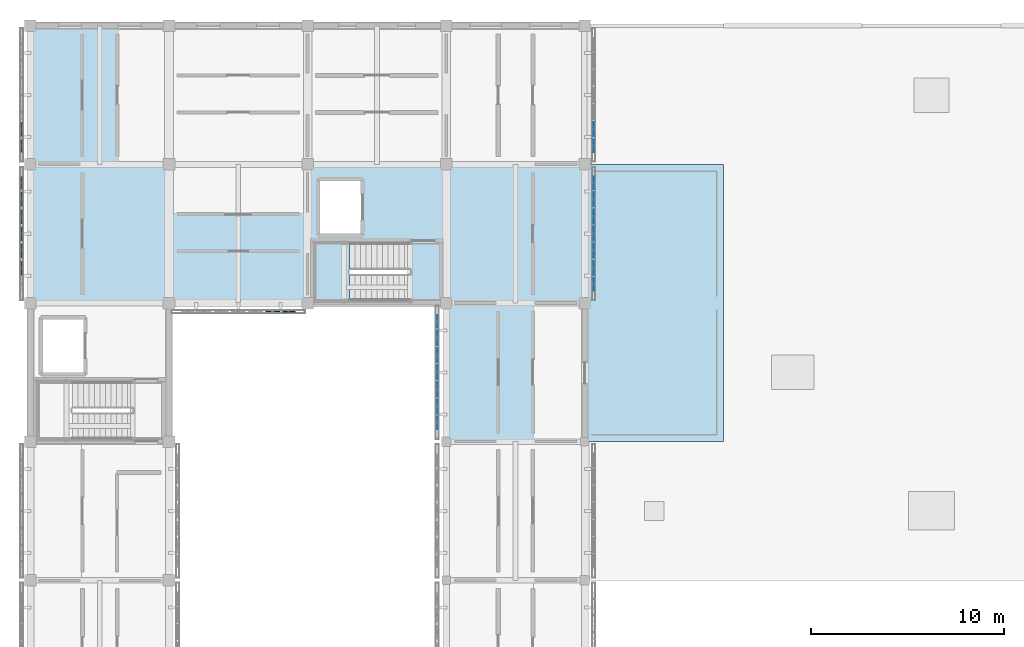
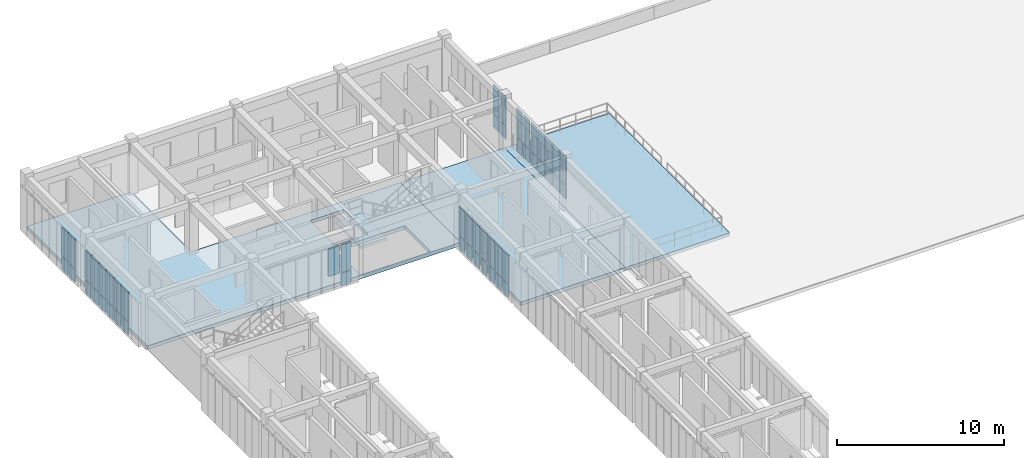
# One storey, part 42 of 67: 51 plates, 4 slabs, 7 elements without a shape of their own.
"""IFC4 building model written with IfcOpenShell, lengths in metres."""

from ifc_helpers import new_model, si_unit, direction, frame, origin, origin_2d, place, context, subcontext, project, spatial, polyline, rectangle, outline, extrude, material, layer, layer_set, type_object, element, aggregate, save


model = new_model("IFC4")

# Units and contexts
model_context = context("Model", 3, precision=1e-05, world=origin(), true_north=direction((0.0, 1.0)))
body_context = subcontext(model_context, "Body", "Model", "MODEL_VIEW")
ifc_project = project(units=[si_unit("LENGTHUNIT", "METRE"), si_unit("AREAUNIT", "SQUARE_METRE"), si_unit("VOLUMEUNIT", "CUBIC_METRE"), si_unit("PLANEANGLEUNIT", "RADIAN"), si_unit("MASSUNIT", "GRAM", prefix="KILO")], contexts=[model_context])

# Site, building, storey
site_placement = place(None, origin())
site = spatial("IfcSite", under=ifc_project, at=site_placement, CompositionType="ELEMENT")
building_placement = place(site_placement, origin())
building = spatial("IfcBuilding", under=site, at=building_placement, Name="Aldebral Square Health Centre", CompositionType="ELEMENT")
storey_placement = place(building_placement, frame((0.0, 0.0, 13.5)))
storey = spatial("IfcBuildingStorey", under=building, at=storey_placement, Name="L03", CompositionType="ELEMENT", Elevation=13.5)

# Curtain wall, plates
ifc_material_1 = material(Name="Aluminium and low-E solar glass", Category="aluminium")
curtain_wall_type = type_object("IfcCurtainWallType", Name="CW-FIN-SYS", PredefinedType="USERDEFINED", material=ifc_material_1)
curtain_wall_1_placement = place(storey_placement, origin())
curtain_wall_1 = element("IfcCurtainWall", 1, at=curtain_wall_1_placement, inside=storey, type_object=curtain_wall_type, Name="L03 V4 finned curtain wall L03-V4-03-13-W", ObjectType="SOLAR_CURTAIN_WALL", PredefinedType="USERDEFINED")
ifc_material_2 = material(Name="Solar-control low-E double glass", Category="glass")
ifc_layer_1 = layer(ifc_material_2, 0.030029296875, Name="Solar-control low-E double glass", Category="glass")
ifc_layer_set_1 = layer_set([ifc_layer_1], Name="Solar-control low-E double glass")
plate_type_1 = type_object("IfcPlateType", Name="CWP-GLZ-2", PredefinedType="CURTAIN_PANEL", material=ifc_layer_set_1)
plate_1_placement = place(storey_placement, frame((21.139892578125, 99.834228515625, 0.074951171875), z_axis=(0.0, 0.0, 1.0), x_axis=(0.0, -1.0, 0.0)))
plate_1 = element("IfcPlate", 2, at=plate_1_placement, type_object=plate_type_1, Name="CW1 panel 1.1", PredefinedType="CURTAIN_PANEL", context=body_context, shape_type="SweptSolid", body=[
    extrude(rectangle(XDim=0.6513671875, YDim=0.030029296875, at=origin_2d()), origin(), (0.0, 0.0, 1.0), 0.9375),
])
plate_2_placement = place(storey_placement, frame((21.139892578125, 99.834228515625, 1.08740234375), z_axis=(0.0, 0.0, 1.0), x_axis=(0.0, -1.0, 0.0)))
plate_2 = element("IfcPlate", 3, at=plate_2_placement, type_object=plate_type_1, Name="CW1 panel 1.2", PredefinedType="CURTAIN_PANEL", context=body_context, shape_type="SweptSolid", body=[
    extrude(rectangle(XDim=0.6513671875, YDim=0.030029296875, at=origin_2d()), origin(), (0.0, 0.0, 1.0), 2.077392578125),
])
plate_3_placement = place(storey_placement, frame((21.139892578125, 98.98291015625, 0.074951171875), z_axis=(0.0, 0.0, 1.0), x_axis=(0.0, -1.0, 0.0)))
plate_3 = element("IfcPlate", 4, at=plate_3_placement, type_object=plate_type_1, Name="CW1 panel 2.1", PredefinedType="CURTAIN_PANEL", context=body_context, shape_type="SweptSolid", body=[
    extrude(rectangle(XDim=0.7314453125, YDim=0.030029296875, at=origin_2d()), origin(), (0.0, 0.0, 1.0), 0.9375),
])
plate_4_placement = place(storey_placement, frame((21.139892578125, 98.98291015625, 1.08740234375), z_axis=(0.0, 0.0, 1.0), x_axis=(0.0, -1.0, 0.0)))
plate_4 = element("IfcPlate", 5, at=plate_4_placement, type_object=plate_type_1, Name="CW1 panel 2.2", PredefinedType="CURTAIN_PANEL", context=body_context, shape_type="SweptSolid", body=[
    extrude(rectangle(XDim=0.7314453125, YDim=0.030029296875, at=origin_2d()), origin(), (0.0, 0.0, 1.0), 2.077392578125),
])
plate_5_placement = place(storey_placement, frame((21.139892578125, 98.09130859375, 0.074951171875), z_axis=(0.0, 0.0, 1.0), x_axis=(0.0, -1.0, 0.0)))
plate_5 = element("IfcPlate", 6, at=plate_5_placement, type_object=plate_type_1, Name="CW1 panel 3.1", PredefinedType="CURTAIN_PANEL", context=body_context, shape_type="SweptSolid", body=[
    extrude(rectangle(XDim=0.7314453125, YDim=0.030029296875, at=origin_2d()), origin(), (0.0, 0.0, 1.0), 0.9375),
])
plate_6_placement = place(storey_placement, frame((21.139892578125, 98.09130859375, 1.08740234375), z_axis=(0.0, 0.0, 1.0), x_axis=(0.0, -1.0, 0.0)))
plate_6 = element("IfcPlate", 7, at=plate_6_placement, type_object=plate_type_1, Name="CW1 panel 3.2", PredefinedType="CURTAIN_PANEL", context=body_context, shape_type="SweptSolid", body=[
    extrude(rectangle(XDim=0.7314453125, YDim=0.030029296875, at=origin_2d()), origin(), (0.0, 0.0, 1.0), 2.077392578125),
])
plate_7_placement = place(storey_placement, frame((21.139892578125, 97.199951171875, 0.074951171875), z_axis=(0.0, 0.0, 1.0), x_axis=(0.0, -1.0, 0.0)))
plate_7 = element("IfcPlate", 8, at=plate_7_placement, type_object=plate_type_1, Name="CW1 panel 4.1", PredefinedType="CURTAIN_PANEL", context=body_context, shape_type="SweptSolid", body=[
    extrude(rectangle(XDim=0.7314453125, YDim=0.030029296875, at=origin_2d()), origin(), (0.0, 0.0, 1.0), 0.9375),
])
plate_8_placement = place(storey_placement, frame((21.139892578125, 97.199951171875, 1.08740234375), z_axis=(0.0, 0.0, 1.0), x_axis=(0.0, -1.0, 0.0)))
plate_8 = element("IfcPlate", 9, at=plate_8_placement, type_object=plate_type_1, Name="CW1 panel 4.2", PredefinedType="CURTAIN_PANEL", context=body_context, shape_type="SweptSolid", body=[
    extrude(rectangle(XDim=0.7314453125, YDim=0.030029296875, at=origin_2d()), origin(), (0.0, 0.0, 1.0), 2.077392578125),
])
plate_9_placement = place(storey_placement, frame((21.139892578125, 96.30859375, 0.074951171875), z_axis=(0.0, 0.0, 1.0), x_axis=(0.0, -1.0, 0.0)))
plate_9 = element("IfcPlate", 10, at=plate_9_placement, type_object=plate_type_1, Name="CW1 panel 5.1", PredefinedType="CURTAIN_PANEL", context=body_context, shape_type="SweptSolid", body=[
    extrude(rectangle(XDim=0.7314453125, YDim=0.030029296875, at=origin_2d()), origin(), (0.0, 0.0, 1.0), 0.9375),
])
plate_10_placement = place(storey_placement, frame((21.139892578125, 96.30859375, 1.08740234375), z_axis=(0.0, 0.0, 1.0), x_axis=(0.0, -1.0, 0.0)))
plate_10 = element("IfcPlate", 11, at=plate_10_placement, type_object=plate_type_1, Name="CW1 panel 5.2", PredefinedType="CURTAIN_PANEL", context=body_context, shape_type="SweptSolid", body=[
    extrude(rectangle(XDim=0.7314453125, YDim=0.030029296875, at=origin_2d()), origin(), (0.0, 0.0, 1.0), 2.077392578125),
])
plate_11_placement = place(storey_placement, frame((21.139892578125, 95.417236328125, 0.074951171875), z_axis=(0.0, 0.0, 1.0), x_axis=(0.0, -1.0, 0.0)))
plate_11 = element("IfcPlate", 12, at=plate_11_placement, type_object=plate_type_1, Name="CW1 panel 6.1", PredefinedType="CURTAIN_PANEL", context=body_context, shape_type="SweptSolid", body=[
    extrude(rectangle(XDim=0.7314453125, YDim=0.030029296875, at=origin_2d()), origin(), (0.0, 0.0, 1.0), 0.9375),
])
plate_12_placement = place(storey_placement, frame((21.139892578125, 95.417236328125, 1.08740234375), z_axis=(0.0, 0.0, 1.0), x_axis=(0.0, -1.0, 0.0)))
plate_12 = element("IfcPlate", 13, at=plate_12_placement, type_object=plate_type_1, Name="CW1 panel 6.2", PredefinedType="CURTAIN_PANEL", context=body_context, shape_type="SweptSolid", body=[
    extrude(rectangle(XDim=0.7314453125, YDim=0.030029296875, at=origin_2d()), origin(), (0.0, 0.0, 1.0), 2.077392578125),
])
plate_13_placement = place(storey_placement, frame((21.139892578125, 94.565673828125, 0.074951171875), z_axis=(0.0, 0.0, 1.0), x_axis=(0.0, -1.0, 0.0)))
plate_13 = element("IfcPlate", 14, at=plate_13_placement, type_object=plate_type_1, Name="CW1 panel 7.1", PredefinedType="CURTAIN_PANEL", context=body_context, shape_type="SweptSolid", body=[
    extrude(rectangle(XDim=0.6513671875, YDim=0.030029296875, at=origin_2d()), origin(), (0.0, 0.0, 1.0), 0.9375),
])
plate_14_placement = place(storey_placement, frame((21.139892578125, 94.565673828125, 1.08740234375), z_axis=(0.0, 0.0, 1.0), x_axis=(0.0, -1.0, 0.0)))
plate_14 = element("IfcPlate", 15, at=plate_14_placement, type_object=plate_type_1, Name="CW1 panel 7.2", PredefinedType="CURTAIN_PANEL", context=body_context, shape_type="SweptSolid", body=[
    extrude(rectangle(XDim=0.6513671875, YDim=0.030029296875, at=origin_2d()), origin(), (0.0, 0.0, 1.0), 2.077392578125),
])
aggregate(curtain_wall_1, [plate_1, plate_2, plate_3, plate_4, plate_5, plate_6, plate_7, plate_8, plate_9, plate_10, plate_11, plate_12, plate_13, plate_14])

curtain_wall_2_placement = place(storey_placement, origin())
curtain_wall_2 = element("IfcCurtainWall", 16, at=curtain_wall_2_placement, inside=storey, type_object=curtain_wall_type, Name="L03 V4 finned curtain wall L03-V4-03-14-E", ObjectType="SOLAR_CURTAIN_WALL", PredefinedType="USERDEFINED")
ifc_layer_2 = layer(ifc_material_2, 0.0400390625, Name="Solar-control low-E double glass", Category="glass")
ifc_layer_set_2 = layer_set([ifc_layer_2], Name="Solar-control low-E double glass")
plate_type_2 = type_object("IfcPlateType", Name="CWP-GLZ-3", PredefinedType="CURTAIN_PANEL", material=ifc_layer_set_2)
plate_15_placement = place(storey_placement, frame((29.260009765625, 101.765625, 0.074951171875), z_axis=(0.0, 0.0, 1.0), x_axis=(0.0, 1.0, 0.0)))
plate_15 = element("IfcPlate", 17, at=plate_15_placement, type_object=plate_type_2, Name="CW1 panel 1.1", PredefinedType="CURTAIN_PANEL", context=body_context, shape_type="SweptSolid", body=[
    extrude(rectangle(XDim=0.6513671875, YDim=0.0400390625, at=origin_2d()), origin(), (0.0, 0.0, 1.0), 0.9375),
])
plate_16_placement = place(storey_placement, frame((29.260009765625, 101.765625, 1.08740234375), z_axis=(0.0, 0.0, 1.0), x_axis=(0.0, 1.0, 0.0)))
plate_16 = element("IfcPlate", 18, at=plate_16_placement, type_object=plate_type_2, Name="CW1 panel 1.2", PredefinedType="CURTAIN_PANEL", context=body_context, shape_type="SweptSolid", body=[
    extrude(rectangle(XDim=0.6513671875, YDim=0.0400390625, at=origin_2d()), origin(), (0.0, 0.0, 1.0), 2.077392578125),
])
plate_17_placement = place(storey_placement, frame((29.260009765625, 102.6171875, 0.074951171875), z_axis=(0.0, 0.0, 1.0), x_axis=(0.0, 1.0, 0.0)))
plate_17 = element("IfcPlate", 19, at=plate_17_placement, type_object=plate_type_2, Name="CW1 panel 2.1", PredefinedType="CURTAIN_PANEL", context=body_context, shape_type="SweptSolid", body=[
    extrude(rectangle(XDim=0.7314453125, YDim=0.0400390625, at=origin_2d()), origin(), (0.0, 0.0, 1.0), 0.9375),
])
plate_18_placement = place(storey_placement, frame((29.260009765625, 102.6171875, 1.08740234375), z_axis=(0.0, 0.0, 1.0), x_axis=(0.0, 1.0, 0.0)))
plate_18 = element("IfcPlate", 20, at=plate_18_placement, type_object=plate_type_2, Name="CW1 panel 2.2", PredefinedType="CURTAIN_PANEL", context=body_context, shape_type="SweptSolid", body=[
    extrude(rectangle(XDim=0.7314453125, YDim=0.0400390625, at=origin_2d()), origin(), (0.0, 0.0, 1.0), 2.077392578125),
])
plate_19_placement = place(storey_placement, frame((29.260009765625, 103.508544921875, 0.074951171875), z_axis=(0.0, 0.0, 1.0), x_axis=(0.0, 1.0, 0.0)))
plate_19 = element("IfcPlate", 21, at=plate_19_placement, type_object=plate_type_2, Name="CW1 panel 3.1", PredefinedType="CURTAIN_PANEL", context=body_context, shape_type="SweptSolid", body=[
    extrude(rectangle(XDim=0.7314453125, YDim=0.0400390625, at=origin_2d()), origin(), (0.0, 0.0, 1.0), 0.9375),
])
plate_20_placement = place(storey_placement, frame((29.260009765625, 103.508544921875, 1.08740234375), z_axis=(0.0, 0.0, 1.0), x_axis=(0.0, 1.0, 0.0)))
plate_20 = element("IfcPlate", 22, at=plate_20_placement, type_object=plate_type_2, Name="CW1 panel 3.2", PredefinedType="CURTAIN_PANEL", context=body_context, shape_type="SweptSolid", body=[
    extrude(rectangle(XDim=0.7314453125, YDim=0.0400390625, at=origin_2d()), origin(), (0.0, 0.0, 1.0), 2.077392578125),
])
plate_21_placement = place(storey_placement, frame((29.260009765625, 104.39990234375, 0.074951171875), z_axis=(0.0, 0.0, 1.0), x_axis=(0.0, 1.0, 0.0)))
plate_21 = element("IfcPlate", 23, at=plate_21_placement, type_object=plate_type_2, Name="CW1 panel 4.1", PredefinedType="CURTAIN_PANEL", context=body_context, shape_type="SweptSolid", body=[
    extrude(rectangle(XDim=0.7314453125, YDim=0.0400390625, at=origin_2d()), origin(), (0.0, 0.0, 1.0), 0.9375),
])
plate_22_placement = place(storey_placement, frame((29.260009765625, 104.39990234375, 1.08740234375), z_axis=(0.0, 0.0, 1.0), x_axis=(0.0, 1.0, 0.0)))
plate_22 = element("IfcPlate", 24, at=plate_22_placement, type_object=plate_type_2, Name="CW1 panel 4.2", PredefinedType="CURTAIN_PANEL", context=body_context, shape_type="SweptSolid", body=[
    extrude(rectangle(XDim=0.7314453125, YDim=0.0400390625, at=origin_2d()), origin(), (0.0, 0.0, 1.0), 2.077392578125),
])
plate_23_placement = place(storey_placement, frame((29.260009765625, 105.29150390625, 0.074951171875), z_axis=(0.0, 0.0, 1.0), x_axis=(0.0, 1.0, 0.0)))
plate_23 = element("IfcPlate", 25, at=plate_23_placement, type_object=plate_type_2, Name="CW1 panel 5.1", PredefinedType="CURTAIN_PANEL", context=body_context, shape_type="SweptSolid", body=[
    extrude(rectangle(XDim=0.7314453125, YDim=0.0400390625, at=origin_2d()), origin(), (0.0, 0.0, 1.0), 0.9375),
])
plate_24_placement = place(storey_placement, frame((29.260009765625, 105.29150390625, 1.08740234375), z_axis=(0.0, 0.0, 1.0), x_axis=(0.0, 1.0, 0.0)))
plate_24 = element("IfcPlate", 26, at=plate_24_placement, type_object=plate_type_2, Name="CW1 panel 5.2", PredefinedType="CURTAIN_PANEL", context=body_context, shape_type="SweptSolid", body=[
    extrude(rectangle(XDim=0.7314453125, YDim=0.0400390625, at=origin_2d()), origin(), (0.0, 0.0, 1.0), 2.077392578125),
])
plate_25_placement = place(storey_placement, frame((29.260009765625, 106.182861328125, 0.074951171875), z_axis=(0.0, 0.0, 1.0), x_axis=(0.0, 1.0, 0.0)))
plate_25 = element("IfcPlate", 27, at=plate_25_placement, type_object=plate_type_2, Name="CW1 panel 6.1", PredefinedType="CURTAIN_PANEL", context=body_context, shape_type="SweptSolid", body=[
    extrude(rectangle(XDim=0.7314453125, YDim=0.0400390625, at=origin_2d()), origin(), (0.0, 0.0, 1.0), 0.9375),
])
plate_26_placement = place(storey_placement, frame((29.260009765625, 106.182861328125, 1.08740234375), z_axis=(0.0, 0.0, 1.0), x_axis=(0.0, 1.0, 0.0)))
plate_26 = element("IfcPlate", 28, at=plate_26_placement, type_object=plate_type_2, Name="CW1 panel 6.2", PredefinedType="CURTAIN_PANEL", context=body_context, shape_type="SweptSolid", body=[
    extrude(rectangle(XDim=0.7314453125, YDim=0.0400390625, at=origin_2d()), origin(), (0.0, 0.0, 1.0), 2.077392578125),
])
plate_27_placement = place(storey_placement, frame((29.260009765625, 107.0341796875, 0.074951171875), z_axis=(0.0, 0.0, 1.0), x_axis=(0.0, 1.0, 0.0)))
plate_27 = element("IfcPlate", 29, at=plate_27_placement, type_object=plate_type_2, Name="CW1 panel 7.1", PredefinedType="CURTAIN_PANEL", context=body_context, shape_type="SweptSolid", body=[
    extrude(rectangle(XDim=0.6513671875, YDim=0.0400390625, at=origin_2d()), origin(), (0.0, 0.0, 1.0), 0.9375),
])
plate_28_placement = place(storey_placement, frame((29.260009765625, 107.0341796875, 1.08740234375), z_axis=(0.0, 0.0, 1.0), x_axis=(0.0, 1.0, 0.0)))
plate_28 = element("IfcPlate", 30, at=plate_28_placement, type_object=plate_type_2, Name="CW1 panel 7.2", PredefinedType="CURTAIN_PANEL", context=body_context, shape_type="SweptSolid", body=[
    extrude(rectangle(XDim=0.6513671875, YDim=0.0400390625, at=origin_2d()), origin(), (0.0, 0.0, 1.0), 2.077392578125),
])
aggregate(curtain_wall_2, [plate_15, plate_16, plate_17, plate_18, plate_19, plate_20, plate_21, plate_22, plate_23, plate_24, plate_25, plate_26, plate_27, plate_28])

curtain_wall_3_placement = place(storey_placement, origin())
curtain_wall_3 = element("IfcCurtainWall", 31, at=curtain_wall_3_placement, inside=storey, type_object=curtain_wall_type, Name="L03 V4 finned curtain wall L03-V4-03-15-E", ObjectType="SOLAR_CURTAIN_WALL", PredefinedType="USERDEFINED")
ifc_layer_3 = layer(ifc_material_2, 0.050048828125, Name="Solar-control low-E double glass", Category="glass")
ifc_layer_set_3 = layer_set([ifc_layer_3], Name="Solar-control low-E double glass")
plate_type_3 = type_object("IfcPlateType", Name="CWP-GLZ-4", PredefinedType="CURTAIN_PANEL", material=ifc_layer_set_3)
plate_29_placement = place(storey_placement, frame((29.260009765625, 108.9658203125, 0.074951171875), z_axis=(0.0, 0.0, 1.0), x_axis=(0.0, 1.0, 0.0)))
plate_29 = element("IfcPlate", 32, at=plate_29_placement, type_object=plate_type_3, Name="CW1 panel 1.1", PredefinedType="CURTAIN_PANEL", context=body_context, shape_type="SweptSolid", body=[
    extrude(rectangle(XDim=0.6513671875, YDim=0.050048828125, at=origin_2d()), origin(), (0.0, 0.0, 1.0), 0.9375),
])
plate_30_placement = place(storey_placement, frame((29.260009765625, 108.9658203125, 1.08740234375), z_axis=(0.0, 0.0, 1.0), x_axis=(0.0, 1.0, 0.0)))
plate_30 = element("IfcPlate", 33, at=plate_30_placement, type_object=plate_type_3, Name="CW1 panel 1.2", PredefinedType="CURTAIN_PANEL", context=body_context, shape_type="SweptSolid", body=[
    extrude(rectangle(XDim=0.6513671875, YDim=0.050048828125, at=origin_2d()), origin(), (0.0, 0.0, 1.0), 2.077392578125),
])
plate_31_placement = place(storey_placement, frame((29.260009765625, 109.817138671875, 0.074951171875), z_axis=(0.0, 0.0, 1.0), x_axis=(0.0, 1.0, 0.0)))
plate_31 = element("IfcPlate", 34, at=plate_31_placement, type_object=plate_type_3, Name="CW1 panel 2.1", PredefinedType="CURTAIN_PANEL", context=body_context, shape_type="SweptSolid", body=[
    extrude(rectangle(XDim=0.7314453125, YDim=0.050048828125, at=origin_2d()), origin(), (0.0, 0.0, 1.0), 0.9375),
])
plate_32_placement = place(storey_placement, frame((29.260009765625, 109.817138671875, 1.08740234375), z_axis=(0.0, 0.0, 1.0), x_axis=(0.0, 1.0, 0.0)))
plate_32 = element("IfcPlate", 35, at=plate_32_placement, type_object=plate_type_3, Name="CW1 panel 2.2", PredefinedType="CURTAIN_PANEL", context=body_context, shape_type="SweptSolid", body=[
    extrude(rectangle(XDim=0.7314453125, YDim=0.050048828125, at=origin_2d()), origin(), (0.0, 0.0, 1.0), 2.077392578125),
])
aggregate(curtain_wall_3, [plate_29, plate_30, plate_31, plate_32])

curtain_wall_4_placement = place(storey_placement, origin())
curtain_wall_4 = element("IfcCurtainWall", 36, at=curtain_wall_4_placement, inside=storey, type_object=curtain_wall_type, Name="L03 V4 finned curtain wall L03-V4-01-14-S", ObjectType="SOLAR_CURTAIN_WALL", PredefinedType="USERDEFINED")
ifc_layer_4 = layer(ifc_material_2, 0.070068359375, Name="Solar-control low-E double glass", Category="glass")
ifc_layer_set_4 = layer_set([ifc_layer_4], Name="Solar-control low-E double glass")
plate_type_4 = type_object("IfcPlateType", Name="CWP-GLZ-6", PredefinedType="CURTAIN_PANEL", material=ifc_layer_set_4)
plate_33_placement = place(storey_placement, frame((12.582763671875, 100.340087890625, 1.08740234375), z_axis=(0.0, 0.0, 1.0), x_axis=(1.0, 0.0, 0.0)))
plate_33 = element("IfcPlate", 37, at=plate_33_placement, type_object=plate_type_4, Name="CW1 panel 6.2", PredefinedType="CURTAIN_PANEL", context=body_context, shape_type="SweptSolid", body=[
    extrude(rectangle(XDim=0.7314453125, YDim=0.070068359375, at=origin_2d()), origin(), (0.0, 0.0, 1.0), 1.9775390625),
])
plate_34_placement = place(storey_placement, frame((13.434326171875, 100.340087890625, 0.074951171875), z_axis=(0.0, 0.0, 1.0), x_axis=(1.0, 0.0, 0.0)))
plate_34 = element("IfcPlate", 38, at=plate_34_placement, type_object=plate_type_4, Name="CW1 panel 7.1", PredefinedType="CURTAIN_PANEL", context=body_context, shape_type="SweptSolid", body=[
    extrude(rectangle(XDim=0.6513671875, YDim=0.070068359375, at=origin_2d()), origin(), (0.0, 0.0, 1.0), 0.9375),
])
plate_35_placement = place(storey_placement, frame((13.434326171875, 100.340087890625, 1.08740234375), z_axis=(0.0, 0.0, 1.0), x_axis=(1.0, 0.0, 0.0)))
plate_35 = element("IfcPlate", 39, at=plate_35_placement, type_object=plate_type_4, Name="CW1 panel 7.2", PredefinedType="CURTAIN_PANEL", context=body_context, shape_type="SweptSolid", body=[
    extrude(rectangle(XDim=0.6513671875, YDim=0.070068359375, at=origin_2d()), origin(), (0.0, 0.0, 1.0), 1.9775390625),
])
aggregate(curtain_wall_4, [plate_33, plate_34, plate_35])

curtain_wall_5_placement = place(storey_placement, origin())
curtain_wall_5 = element("IfcCurtainWall", 40, at=curtain_wall_5_placement, inside=storey, type_object=curtain_wall_type, Name="L03 V4 finned curtain wall L03-V4-00-14-W", ObjectType="SOLAR_CURTAIN_WALL", PredefinedType="USERDEFINED")
ifc_layer_5 = layer(ifc_material_2, 0.080078125, Name="Solar-control low-E double glass", Category="glass")
ifc_layer_set_5 = layer_set([ifc_layer_5], Name="Solar-control low-E double glass")
plate_type_5 = type_object("IfcPlateType", Name="CWP-GLZ-7", PredefinedType="CURTAIN_PANEL", material=ifc_layer_set_5)
plate_36_placement = place(storey_placement, frame((-0.4599609375, 107.0341796875, 0.074951171875), z_axis=(0.0, 0.0, 1.0), x_axis=(0.0, -1.0, 0.0)))
plate_36 = element("IfcPlate", 41, at=plate_36_placement, type_object=plate_type_5, Name="CW1 panel 1.1", PredefinedType="CURTAIN_PANEL", context=body_context, shape_type="SweptSolid", body=[
    extrude(rectangle(XDim=0.6513671875, YDim=0.080078125, at=origin_2d()), origin(), (0.0, 0.0, 1.0), 0.9375),
])
plate_37_placement = place(storey_placement, frame((-0.4599609375, 107.0341796875, 1.08740234375), z_axis=(0.0, 0.0, 1.0), x_axis=(0.0, -1.0, 0.0)))
plate_37 = element("IfcPlate", 42, at=plate_37_placement, type_object=plate_type_5, Name="CW1 panel 1.2", PredefinedType="CURTAIN_PANEL", context=body_context, shape_type="SweptSolid", body=[
    extrude(rectangle(XDim=0.6513671875, YDim=0.080078125, at=origin_2d()), origin(), (0.0, 0.0, 1.0), 2.077392578125),
])
plate_38_placement = place(storey_placement, frame((-0.4599609375, 106.182861328125, 0.074951171875), z_axis=(0.0, 0.0, 1.0), x_axis=(0.0, -1.0, 0.0)))
plate_38 = element("IfcPlate", 43, at=plate_38_placement, type_object=plate_type_5, Name="CW1 panel 2.1", PredefinedType="CURTAIN_PANEL", context=body_context, shape_type="SweptSolid", body=[
    extrude(rectangle(XDim=0.7314453125, YDim=0.080078125, at=origin_2d()), origin(), (0.0, 0.0, 1.0), 0.9375),
])
plate_39_placement = place(storey_placement, frame((-0.4599609375, 106.182861328125, 1.08740234375), z_axis=(0.0, 0.0, 1.0), x_axis=(0.0, -1.0, 0.0)))
plate_39 = element("IfcPlate", 44, at=plate_39_placement, type_object=plate_type_5, Name="CW1 panel 2.2", PredefinedType="CURTAIN_PANEL", context=body_context, shape_type="SweptSolid", body=[
    extrude(rectangle(XDim=0.7314453125, YDim=0.080078125, at=origin_2d()), origin(), (0.0, 0.0, 1.0), 2.077392578125),
])
plate_40_placement = place(storey_placement, frame((-0.4599609375, 105.29150390625, 0.074951171875), z_axis=(0.0, 0.0, 1.0), x_axis=(0.0, -1.0, 0.0)))
plate_40 = element("IfcPlate", 45, at=plate_40_placement, type_object=plate_type_5, Name="CW1 panel 3.1", PredefinedType="CURTAIN_PANEL", context=body_context, shape_type="SweptSolid", body=[
    extrude(rectangle(XDim=0.7314453125, YDim=0.080078125, at=origin_2d()), origin(), (0.0, 0.0, 1.0), 0.9375),
])
plate_41_placement = place(storey_placement, frame((-0.4599609375, 105.29150390625, 1.08740234375), z_axis=(0.0, 0.0, 1.0), x_axis=(0.0, -1.0, 0.0)))
plate_41 = element("IfcPlate", 46, at=plate_41_placement, type_object=plate_type_5, Name="CW1 panel 3.2", PredefinedType="CURTAIN_PANEL", context=body_context, shape_type="SweptSolid", body=[
    extrude(rectangle(XDim=0.7314453125, YDim=0.080078125, at=origin_2d()), origin(), (0.0, 0.0, 1.0), 2.077392578125),
])
plate_42_placement = place(storey_placement, frame((-0.4599609375, 104.39990234375, 0.074951171875), z_axis=(0.0, 0.0, 1.0), x_axis=(0.0, -1.0, 0.0)))
plate_42 = element("IfcPlate", 47, at=plate_42_placement, type_object=plate_type_5, Name="CW1 panel 4.1", PredefinedType="CURTAIN_PANEL", context=body_context, shape_type="SweptSolid", body=[
    extrude(rectangle(XDim=0.7314453125, YDim=0.080078125, at=origin_2d()), origin(), (0.0, 0.0, 1.0), 0.9375),
])
plate_43_placement = place(storey_placement, frame((-0.4599609375, 104.39990234375, 1.08740234375), z_axis=(0.0, 0.0, 1.0), x_axis=(0.0, -1.0, 0.0)))
plate_43 = element("IfcPlate", 48, at=plate_43_placement, type_object=plate_type_5, Name="CW1 panel 4.2", PredefinedType="CURTAIN_PANEL", context=body_context, shape_type="SweptSolid", body=[
    extrude(rectangle(XDim=0.7314453125, YDim=0.080078125, at=origin_2d()), origin(), (0.0, 0.0, 1.0), 2.077392578125),
])
plate_44_placement = place(storey_placement, frame((-0.4599609375, 103.508544921875, 0.074951171875), z_axis=(0.0, 0.0, 1.0), x_axis=(0.0, -1.0, 0.0)))
plate_44 = element("IfcPlate", 49, at=plate_44_placement, type_object=plate_type_5, Name="CW1 panel 5.1", PredefinedType="CURTAIN_PANEL", context=body_context, shape_type="SweptSolid", body=[
    extrude(rectangle(XDim=0.7314453125, YDim=0.080078125, at=origin_2d()), origin(), (0.0, 0.0, 1.0), 0.9375),
])
plate_45_placement = place(storey_placement, frame((-0.4599609375, 103.508544921875, 1.08740234375), z_axis=(0.0, 0.0, 1.0), x_axis=(0.0, -1.0, 0.0)))
plate_45 = element("IfcPlate", 50, at=plate_45_placement, type_object=plate_type_5, Name="CW1 panel 5.2", PredefinedType="CURTAIN_PANEL", context=body_context, shape_type="SweptSolid", body=[
    extrude(rectangle(XDim=0.7314453125, YDim=0.080078125, at=origin_2d()), origin(), (0.0, 0.0, 1.0), 2.077392578125),
])
plate_46_placement = place(storey_placement, frame((-0.4599609375, 102.6171875, 0.074951171875), z_axis=(0.0, 0.0, 1.0), x_axis=(0.0, -1.0, 0.0)))
plate_46 = element("IfcPlate", 51, at=plate_46_placement, type_object=plate_type_5, Name="CW1 panel 6.1", PredefinedType="CURTAIN_PANEL", context=body_context, shape_type="SweptSolid", body=[
    extrude(rectangle(XDim=0.7314453125, YDim=0.080078125, at=origin_2d()), origin(), (0.0, 0.0, 1.0), 0.9375),
])
plate_47_placement = place(storey_placement, frame((-0.4599609375, 102.6171875, 1.08740234375), z_axis=(0.0, 0.0, 1.0), x_axis=(0.0, -1.0, 0.0)))
plate_47 = element("IfcPlate", 52, at=plate_47_placement, type_object=plate_type_5, Name="CW1 panel 6.2", PredefinedType="CURTAIN_PANEL", context=body_context, shape_type="SweptSolid", body=[
    extrude(rectangle(XDim=0.7314453125, YDim=0.080078125, at=origin_2d()), origin(), (0.0, 0.0, 1.0), 2.077392578125),
])
aggregate(curtain_wall_5, [plate_36, plate_37, plate_38, plate_39, plate_40, plate_41, plate_42, plate_43, plate_44, plate_45, plate_46, plate_47])

curtain_wall_6_placement = place(storey_placement, origin())
curtain_wall_6 = element("IfcCurtainWall", 53, at=curtain_wall_6_placement, inside=storey, type_object=curtain_wall_type, Name="L03 V4 finned curtain wall L03-V4-00-15-W", ObjectType="SOLAR_CURTAIN_WALL", PredefinedType="USERDEFINED")
ifc_layer_6 = layer(ifc_material_2, 0.090087890625, Name="Solar-control low-E double glass", Category="glass")
ifc_layer_set_6 = layer_set([ifc_layer_6], Name="Solar-control low-E double glass")
plate_type_6 = type_object("IfcPlateType", Name="CWP-GLZ-8", PredefinedType="CURTAIN_PANEL", material=ifc_layer_set_6)
plate_48_placement = place(storey_placement, frame((-0.4599609375, 109.817138671875, 0.074951171875), z_axis=(0.0, 0.0, 1.0), x_axis=(0.0, -1.0, 0.0)))
plate_48 = element("IfcPlate", 54, at=plate_48_placement, type_object=plate_type_6, Name="CW1 panel 6.1", PredefinedType="CURTAIN_PANEL", context=body_context, shape_type="SweptSolid", body=[
    extrude(rectangle(XDim=0.7314453125, YDim=0.090087890625, at=origin_2d()), origin(), (0.0, 0.0, 1.0), 0.9375),
])
plate_49_placement = place(storey_placement, frame((-0.4599609375, 109.817138671875, 1.08740234375), z_axis=(0.0, 0.0, 1.0), x_axis=(0.0, -1.0, 0.0)))
plate_49 = element("IfcPlate", 55, at=plate_49_placement, type_object=plate_type_6, Name="CW1 panel 6.2", PredefinedType="CURTAIN_PANEL", context=body_context, shape_type="SweptSolid", body=[
    extrude(rectangle(XDim=0.7314453125, YDim=0.090087890625, at=origin_2d()), origin(), (0.0, 0.0, 1.0), 2.077392578125),
])
plate_50_placement = place(storey_placement, frame((-0.4599609375, 108.9658203125, 0.074951171875), z_axis=(0.0, 0.0, 1.0), x_axis=(0.0, -1.0, 0.0)))
plate_50 = element("IfcPlate", 56, at=plate_50_placement, type_object=plate_type_6, Name="CW1 panel 7.1", PredefinedType="CURTAIN_PANEL", context=body_context, shape_type="SweptSolid", body=[
    extrude(rectangle(XDim=0.6513671875, YDim=0.090087890625, at=origin_2d()), origin(), (0.0, 0.0, 1.0), 0.9375),
])
plate_51_placement = place(storey_placement, frame((-0.4599609375, 108.9658203125, 1.08740234375), z_axis=(0.0, 0.0, 1.0), x_axis=(0.0, -1.0, 0.0)))
plate_51 = element("IfcPlate", 57, at=plate_51_placement, type_object=plate_type_6, Name="CW1 panel 7.2", PredefinedType="CURTAIN_PANEL", context=body_context, shape_type="SweptSolid", body=[
    extrude(rectangle(XDim=0.6513671875, YDim=0.090087890625, at=origin_2d()), origin(), (0.0, 0.0, 1.0), 2.077392578125),
])
aggregate(curtain_wall_6, [plate_48, plate_49, plate_50, plate_51])

# Slabs
ifc_material_3 = material(Name="Concrete C35/45", Category="concrete")
ifc_layer_7 = layer(ifc_material_3, 0.260009765625, Name="Concrete C35/45", Category="concrete")
ifc_layer_set_7 = layer_set([ifc_layer_7], Name="Concrete C35/45")
slab_type_1 = type_object("IfcSlabType", Name="SL-FLR-260", PredefinedType="FLOOR", material=ifc_layer_set_7)
slab_1_placement = place(storey_placement, frame((0.0, 0.0, -0.260009765625)))
element("IfcSlab", 58, at=slab_1_placement, inside=storey, type_object=slab_type_1, Name="L03 V4 floor slab 4", PredefinedType="FLOOR", context=body_context, shape_type="SweptSolid", body=[
    extrude(outline(polyline([(0.0, 115.199951171875), (7.199951171875, 115.199951171875), (7.199951171875, 108.0), (14.39990234375, 108.0), (21.60009765625, 108.0), (21.60009765625, 100.800048828125), (14.39990234375, 100.800048828125), (7.199951171875, 100.800048828125), (0.0, 100.800048828125), (0.0, 108.0), (0.0, 115.199951171875)]), holes=[polyline([(14.739990234375, 103.9599609375), (14.739990234375, 100.8798828125), (19.580078125, 100.8798828125), (19.580078125, 103.9599609375), (14.739990234375, 103.9599609375)]), polyline([(17.25, 107.25), (14.949951171875, 107.25), (14.949951171875, 104.300048828125), (17.25, 104.300048828125), (17.25, 107.25)])]), origin(), (0.0, 0.0, 1.0), 0.260009765625),
])
slab_2_placement = place(storey_placement, frame((0.0, 0.0, -0.260009765625)))
element("IfcSlab", 59, at=slab_2_placement, inside=storey, type_object=slab_type_1, Name="L03 V4 floor slab 8", PredefinedType="FLOOR", context=body_context, shape_type="SweptSolid", body=[
    extrude(outline(polyline([(21.60009765625, 93.60009765625), (21.60009765625, 100.800048828125), (21.60009765625, 108.0), (28.800048828125, 108.0), (28.800048828125, 100.800048828125), (28.800048828125, 93.60009765625), (21.60009765625, 93.60009765625)])), origin(), (0.0, 0.0, 1.0), 0.260009765625),
])

# Stair, slab
stair_type = type_object("IfcStairType", Name="ST-DOG-140", PredefinedType="HALF_TURN_STAIR", material=ifc_material_3)
stair_placement = place(storey_placement, origin())
stair = element("IfcStair", 60, at=stair_placement, inside=storey, type_object=stair_type, Name="L03 ST-02", PredefinedType="HALF_TURN_STAIR")
ifc_layer_8 = layer(ifc_material_3, 0.199951171875, Name="Concrete C35/45", Category="concrete")
ifc_layer_set_8 = layer_set([ifc_layer_8], Name="Concrete C35/45")
slab_type_2 = type_object("IfcSlabType", Name="SL-LND-200", PredefinedType="LANDING", material=ifc_layer_set_8)
slab_3_placement = place(storey_placement, frame((0.0, 0.0, 1.824951171875)))
slab_3 = element("IfcSlab", 61, at=slab_3_placement, type_object=slab_type_2, Name="ST-02 landing 1", PredefinedType="LANDING", context=body_context, shape_type="SweptSolid", body=[
    extrude(outline(polyline([(16.5849609375, 103.919921875), (14.780029296875, 103.919921875), (14.780029296875, 100.919921875), (16.5849609375, 100.919921875), (16.5849609375, 103.919921875)])), origin(), (0.0, 0.0, 1.0), 0.199951171875),
])
aggregate(stair, [slab_3])

# Slab
ifc_layer_9 = layer(ifc_material_3, 0.22998046875, Name="Concrete C35/45", Category="concrete")
ifc_layer_set_9 = layer_set([ifc_layer_9], Name="Concrete C35/45")
slab_type_3 = type_object("IfcSlabType", Name="SL-TER-230", PredefinedType="FLOOR", material=ifc_layer_set_9)
slab_4_placement = place(storey_placement, frame((0.0, 0.0, -0.22998046875)))
element("IfcSlab", 62, at=slab_4_placement, inside=storey, type_object=slab_type_3, Name="L03 Healing Terrace", PredefinedType="FLOOR", context=body_context, shape_type="SweptSolid", body=[
    extrude(outline(polyline([(36.0, 93.60009765625), (28.800048828125, 93.60009765625), (28.800048828125, 100.800048828125), (28.800048828125, 108.0), (36.0, 108.0), (36.0, 100.800048828125), (36.0, 93.60009765625)])), origin(), (0.0, 0.0, 1.0), 0.22998046875),
])

save(model, "model.ifc")
